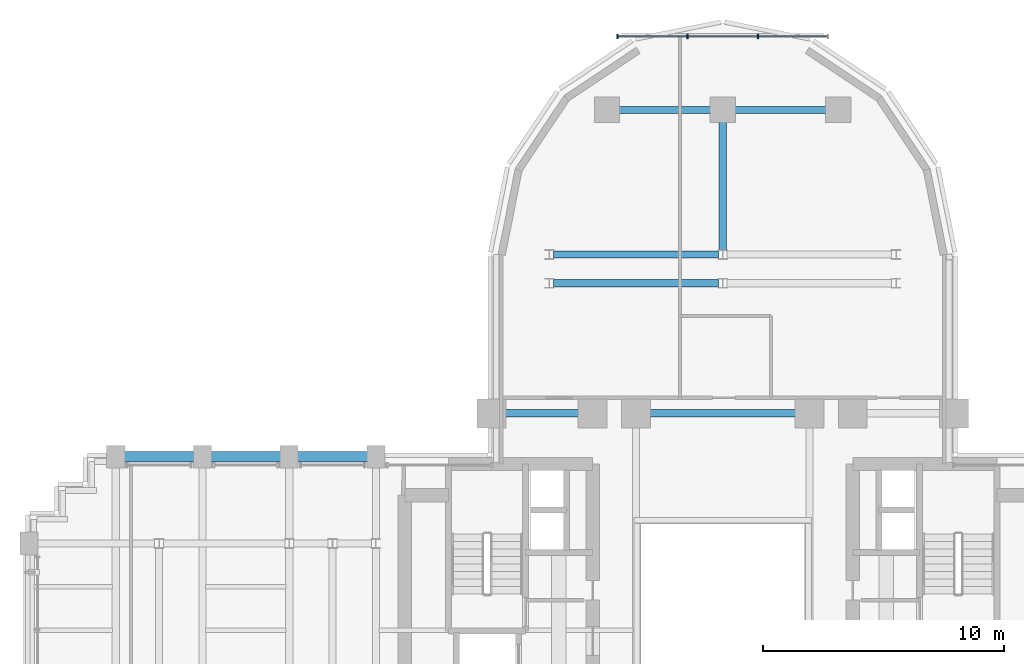
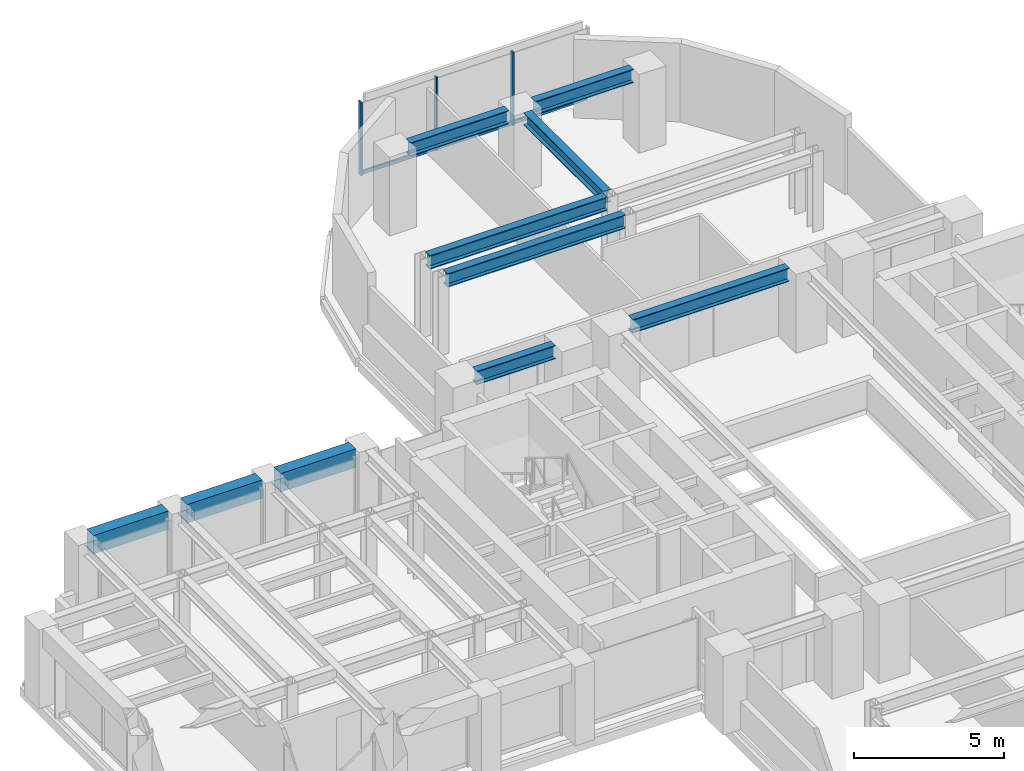
# One storey, part 7 of 16: 10 beams, 6 members, 1 element without a shape of its own.
"""IFC4 building model written with IfcOpenShell, lengths in metres."""

from ifc_helpers import new_model, si_unit, direction, frame, origin, origin_2d, place, context, subcontext, project, spatial, rectangle, i_section, extrude, source, transform, mapped, material, material_profile, profile_set, type_object, element, aggregate, save


model = new_model("IFC4")

# Units and contexts
model_context = context("Model", 3, precision=1e-05, world=origin(), true_north=direction((0.0, 1.0)))
body_context = subcontext(model_context, "Body", "Model", "MODEL_VIEW")
ifc_project = project(units=[si_unit("LENGTHUNIT", "METRE"), si_unit("AREAUNIT", "SQUARE_METRE"), si_unit("VOLUMEUNIT", "CUBIC_METRE"), si_unit("PLANEANGLEUNIT", "RADIAN"), si_unit("MASSUNIT", "GRAM", prefix="KILO")], contexts=[model_context])

# Site, building, storey
site_placement = place(None, origin())
site = spatial("IfcSite", under=ifc_project, at=site_placement, CompositionType="ELEMENT")
building_placement = place(site_placement, origin())
building = spatial("IfcBuilding", under=site, at=building_placement, Name="Keilestroom Media Tower", CompositionType="ELEMENT")
storey_placement = place(building_placement, frame((0.0, 0.0, 37.39990234375)))
storey = spatial("IfcBuildingStorey", under=building, at=storey_placement, Name="L08", CompositionType="ELEMENT", Elevation=37.39990234375)

# Beams
ifc_material_1 = material(Name="Steel S355", Category="steel")
ifc_material_profile_1 = material_profile(ifc_material_1, i_section(OverallWidth=0.300048828125, OverallDepth=0.550048828125, WebThickness=0.012939453125, FlangeThickness=0.029052734375, at=origin_2d()), Name="HEB 550")
ifc_profile_set_1 = profile_set([ifc_material_profile_1], Name="Steel S355")
beam_type_1 = type_object("IfcBeamType", Name="Primary-Structural-Girder-HEB-550", PredefinedType="BEAM", material=ifc_profile_set_1)
shared_shape_1 = source(origin(), body_context, "Body", "SweptSolid", [
    extrude(i_section(OverallWidth=0.300048828125, OverallDepth=0.550048828125, WebThickness=0.012939453125, FlangeThickness=0.029052734375, at=origin_2d()), origin(), (0.0, 0.0, 1.0), 3.7900390625),
])
for number, where, z_axis, x_axis, name in (
    (1, (-4.294921875, 21.60009765625, 2.925048828125), (1.0, 0.0, 0.0), (0.0, 1.0, 0.0), "L08 Beam BG-5 BM-L08-EW-049"),
    (2, (0.5048828125, 21.60009765625, 2.925048828125), (1.0, 0.0, 0.0), (0.0, 1.0, 0.0), "L08 Beam BG-5 BM-L08-EW-050"),
):
    element("IfcBeam", number, at=place(storey_placement, frame(where, z_axis=z_axis, x_axis=x_axis)), inside=storey, type_object=beam_type_1, Name=name, PredefinedType="BEAM", context=body_context, shape_type="MappedRepresentation", body=[
        mapped(shared_shape_1, transform((0.0, 0.0, 0.0), x_axis=(1.0, 0.0, 0.0), y_axis=(0.0, 1.0, 0.0), z_axis=(0.0, 0.0, 1.0), scale=1.0)),
    ])
shared_shape_2 = source(origin(), body_context, "Body", "SweptSolid", [
    extrude(i_section(OverallWidth=0.300048828125, OverallDepth=0.550048828125, WebThickness=0.012939453125, FlangeThickness=0.029052734375, at=origin_2d()), origin(), (0.0, 0.0, 1.0), 6.836181640625),
])
for number, where, z_axis, x_axis, name in (
    (3, (-7.01806640625, 14.39990234375, 2.925048828125), (1.0, 0.0, 0.0), (0.0, 1.0, 0.0), "L08 Beam BG-5 BM-L08-EW-045"),
    (4, (-7.01806640625, 15.60009765625, 2.925048828125), (1.0, 0.0, 0.0), (0.0, 1.0, 0.0), "L08 Beam BG-5 BM-L08-EW-047"),
):
    element("IfcBeam", number, at=place(storey_placement, frame(where, z_axis=z_axis, x_axis=x_axis)), inside=storey, type_object=beam_type_1, Name=name, PredefinedType="BEAM", context=body_context, shape_type="MappedRepresentation", body=[
        mapped(shared_shape_2, transform((0.0, 0.0, 0.0), x_axis=(1.0, 0.0, 0.0), y_axis=(0.0, 1.0, 0.0), z_axis=(0.0, 0.0, 1.0), scale=1.0)),
    ])
shared_shape_3 = source(origin(), body_context, "Body", "SweptSolid", [
    extrude(i_section(OverallWidth=0.300048828125, OverallDepth=0.550048828125, WebThickness=0.012939453125, FlangeThickness=0.029052734375, at=origin_2d()), origin(), (0.0, 0.0, 1.0), 3.0400390625),
])
beam_1_placement = place(storey_placement, frame((-9.02001953125, 9.0, 2.925048828125), z_axis=(1.0, 0.0, 0.0), x_axis=(0.0, 1.0, 0.0)))
element("IfcBeam", 5, at=beam_1_placement, inside=storey, type_object=beam_type_1, Name="L08 Beam BG-5 BM-L08-EW-040", PredefinedType="BEAM", context=body_context, shape_type="MappedRepresentation", body=[
    mapped(shared_shape_3, transform((0.0, 0.0, 0.0), x_axis=(1.0, 0.0, 0.0), y_axis=(0.0, 1.0, 0.0), z_axis=(0.0, 0.0, 1.0), scale=1.0)),
])
shared_shape_4 = source(origin(), body_context, "Body", "SweptSolid", [
    extrude(i_section(OverallWidth=0.300048828125, OverallDepth=0.550048828125, WebThickness=0.012939453125, FlangeThickness=0.029052734375, at=origin_2d()), origin(), (0.0, 0.0, 1.0), 6.0400390625),
])
beam_2_placement = place(storey_placement, frame((-3.02001953125, 9.0, 2.925048828125), z_axis=(1.0, 0.0, 0.0), x_axis=(0.0, 1.0, 0.0)))
element("IfcBeam", 6, at=beam_2_placement, inside=storey, type_object=beam_type_1, Name="L08 Beam BG-5 BM-L08-EW-042", PredefinedType="BEAM", context=body_context, shape_type="MappedRepresentation", body=[
    mapped(shared_shape_4, transform((0.0, 0.0, 0.0), x_axis=(1.0, 0.0, 0.0), y_axis=(0.0, 1.0, 0.0), z_axis=(0.0, 0.0, 1.0), scale=1.0)),
])
ifc_material_2 = material(Name="Precast concrete C40/50", Category="concrete")
ifc_material_profile_2 = material_profile(ifc_material_2, rectangle(XDim=0.449951171875, YDim=0.75, at=origin_2d()), Name="PC 450x750")
ifc_profile_set_2 = profile_set([ifc_material_profile_2], Name="Precast concrete C40/50")
beam_type_2 = type_object("IfcBeamType", Name="Perimeter-Spandrel-Beam-PC-450x750", PredefinedType="SPANDREL", material=ifc_profile_set_2)
shared_shape_5 = source(origin(), body_context, "Body", "SweptSolid", [
    extrude(rectangle(XDim=0.449951171875, YDim=0.75, at=origin_2d()), origin(), (0.0, 0.0, 1.0), 2.889892578125),
])
beam_3_placement = place(storey_placement, frame((-24.844970703125, 7.199951171875, 2.8251953125), z_axis=(1.0, 0.0, 0.0), x_axis=(0.0, 1.0, 0.0)))
element("IfcBeam", 7, at=beam_3_placement, inside=storey, type_object=beam_type_2, Name="L08 Beam SPB-1 BM-L08-EW-034", PredefinedType="SPANDREL", context=body_context, shape_type="MappedRepresentation", body=[
    mapped(shared_shape_5, transform((0.0, 0.0, 0.0), x_axis=(1.0, 0.0, 0.0), y_axis=(0.0, 1.0, 0.0), z_axis=(0.0, 0.0, 1.0), scale=1.0)),
])
shared_shape_6 = source(origin(), body_context, "Body", "SweptSolid", [
    extrude(rectangle(XDim=0.449951171875, YDim=0.75, at=origin_2d()), origin(), (0.0, 0.0, 1.0), 2.89013671875),
])
for number, where, z_axis, x_axis, name in (
    (8, (-21.2451171875, 7.199951171875, 2.8251953125), (1.0, 0.0, 0.0), (0.0, 1.0, 0.0), "L08 Beam SPB-1 BM-L08-EW-035"),
    (9, (-17.64501953125, 7.199951171875, 2.8251953125), (1.0, 0.0, 0.0), (0.0, 1.0, 0.0), "L08 Beam SPB-1 BM-L08-EW-036"),
):
    element("IfcBeam", number, at=place(storey_placement, frame(where, z_axis=z_axis, x_axis=x_axis)), inside=storey, type_object=beam_type_2, Name=name, PredefinedType="SPANDREL", context=body_context, shape_type="MappedRepresentation", body=[
        mapped(shared_shape_6, transform((0.0, 0.0, 0.0), x_axis=(1.0, 0.0, 0.0), y_axis=(0.0, 1.0, 0.0), z_axis=(0.0, 0.0, 1.0), scale=1.0)),
    ])
ifc_material_profile_3 = material_profile(ifc_material_1, i_section(OverallWidth=0.300048828125, OverallDepth=0.5, WebThickness=0.012451171875, FlangeThickness=0.028076171875, at=origin_2d()), Name="HEB 500")
ifc_profile_set_3 = profile_set([ifc_material_profile_3], Name="Steel S355")
beam_type_3 = type_object("IfcBeamType", Name="Primary-Structural-Girder-HEB-500", PredefinedType="BEAM", material=ifc_profile_set_3)
shared_shape_7 = source(origin(), body_context, "Body", "SweptSolid", [
    extrude(i_section(OverallWidth=0.300048828125, OverallDepth=0.5, WebThickness=0.012451171875, FlangeThickness=0.028076171875, at=origin_2d()), origin(), (0.0, 0.0, 1.0), 5.3115234375),
])
beam_4_placement = place(storey_placement, frame((0.0, 15.783447265625, 2.9501953125), z_axis=(0.0, 1.0, 0.0), x_axis=(-1.0, 0.0, 0.0)))
element("IfcBeam", 10, at=beam_4_placement, inside=storey, type_object=beam_type_3, Name="L08 Beam BG-6 BM-L08-NS-070", PredefinedType="BEAM", context=body_context, shape_type="MappedRepresentation", body=[
    mapped(shared_shape_7, transform((0.0, 0.0, 0.0), x_axis=(1.0, 0.0, 0.0), y_axis=(0.0, 1.0, 0.0), z_axis=(0.0, 0.0, 1.0), scale=1.0)),
])

# Curtain wall, members
ifc_material_3 = material(Name="Anodised Aluminium Alloy", Category="aluminium")
curtain_wall_type = type_object("IfcCurtainWallType", Name="Unitised-Curtain-Wall-CW-6", PredefinedType="NOTDEFINED", material=ifc_material_3)
curtain_wall_placement = place(storey_placement, origin())
curtain_wall = element("IfcCurtainWall", 11, at=curtain_wall_placement, inside=storey, type_object=curtain_wall_type, Name="L08 Curtain Wall CW-6 CW-L08-LN-1", PredefinedType="NOTDEFINED")
ifc_material_profile_4 = material_profile(ifc_material_3, rectangle(XDim=0.06494140625, YDim=0.179931640625, at=origin_2d()), Name="ALU MULLION 65x180")
ifc_profile_set_4 = profile_set([ifc_material_profile_4], Name="Anodised Aluminium Alloy")
member_type_1 = type_object("IfcMemberType", Name="Curtain-Wall-Mullion-CW-6", PredefinedType="MULLION", material=ifc_profile_set_4)
shared_shape_8 = source(origin(), body_context, "Body", "SweptSolid", [
    extrude(rectangle(XDim=0.06494140625, YDim=0.179931640625, at=origin_2d()), origin(), (0.0, 0.0, 1.0), 2.97998046875),
])
member_1_placement = place(storey_placement, frame((-4.367431640625, 24.64990234375, 0.0), z_axis=(0.0, 0.0, 1.0), x_axis=(1.0, 0.0, 0.0)))
member_1 = element("IfcMember", 12, at=member_1_placement, type_object=member_type_1, Name="CW-6 Mullion 00", PredefinedType="MULLION", context=body_context, shape_type="MappedRepresentation", body=[
    mapped(shared_shape_8, transform((0.0, 0.0, 0.0), x_axis=(1.0, 0.0, 0.0), y_axis=(0.0, 1.0, 0.0), z_axis=(0.0, 0.0, 1.0), scale=1.0)),
])
member_2_placement = place(storey_placement, frame((-1.466796875, 24.64990234375, 0.0), z_axis=(0.0, 0.0, 1.0), x_axis=(1.0, 0.0, 0.0)))
member_2 = element("IfcMember", 13, at=member_2_placement, type_object=member_type_1, Name="CW-6 Mullion 01", PredefinedType="MULLION", context=body_context, shape_type="MappedRepresentation", body=[
    mapped(shared_shape_8, transform((0.0, 0.0, 0.0), x_axis=(1.0, 0.0, 0.0), y_axis=(0.0, 1.0, 0.0), z_axis=(0.0, 0.0, 1.0), scale=1.0)),
])
member_3_placement = place(storey_placement, frame((1.466796875, 24.64990234375, 0.0), z_axis=(0.0, 0.0, 1.0), x_axis=(1.0, 0.0, 0.0)))
member_3 = element("IfcMember", 14, at=member_3_placement, type_object=member_type_1, Name="CW-6 Mullion 02", PredefinedType="MULLION", context=body_context, shape_type="MappedRepresentation", body=[
    mapped(shared_shape_8, transform((0.0, 0.0, 0.0), x_axis=(1.0, 0.0, 0.0), y_axis=(0.0, 1.0, 0.0), z_axis=(0.0, 0.0, 1.0), scale=1.0)),
])
ifc_material_profile_5 = material_profile(ifc_material_3, rectangle(XDim=0.06494140625, YDim=0.14990234375, at=origin_2d()), Name="ALU TRANSOM 65x150")
ifc_profile_set_5 = profile_set([ifc_material_profile_5], Name="Anodised Aluminium Alloy")
member_type_2 = type_object("IfcMemberType", Name="Curtain-Wall-Transom-CW-6", PredefinedType="USERDEFINED", material=ifc_profile_set_5)
shared_shape_9 = source(origin(), body_context, "Body", "SweptSolid", [
    extrude(rectangle(XDim=0.06494140625, YDim=0.14990234375, at=origin_2d()), origin(), (0.0, 0.0, 1.0), 2.839599609375),
])
member_4_placement = place(storey_placement, frame((-4.3369140625, 24.64990234375, 0.0751953125), z_axis=(1.0, 0.0, 0.0), x_axis=(0.0, 1.0, 0.0)))
member_4 = element("IfcMember", 15, at=member_4_placement, type_object=member_type_2, Name="CW-6 Transom 00.1", ObjectType="TRANSOM", PredefinedType="USERDEFINED", context=body_context, shape_type="MappedRepresentation", body=[
    mapped(shared_shape_9, transform((0.0, 0.0, 0.0), x_axis=(1.0, 0.0, 0.0), y_axis=(0.0, 1.0, 0.0), z_axis=(0.0, 0.0, 1.0), scale=1.0)),
])
member_5_placement = place(storey_placement, frame((1.497314453125, 24.64990234375, 0.0751953125), z_axis=(1.0, 0.0, 0.0), x_axis=(0.0, 1.0, 0.0)))
member_5 = element("IfcMember", 16, at=member_5_placement, type_object=member_type_2, Name="CW-6 Transom 02.1", ObjectType="TRANSOM", PredefinedType="USERDEFINED", context=body_context, shape_type="MappedRepresentation", body=[
    mapped(shared_shape_9, transform((0.0, 0.0, 0.0), x_axis=(1.0, 0.0, 0.0), y_axis=(0.0, 1.0, 0.0), z_axis=(0.0, 0.0, 1.0), scale=1.0)),
])
shared_shape_10 = source(origin(), body_context, "Body", "SweptSolid", [
    extrude(rectangle(XDim=0.06494140625, YDim=0.14990234375, at=origin_2d()), origin(), (0.0, 0.0, 1.0), 2.87255859375),
])
member_6_placement = place(storey_placement, frame((-1.436279296875, 24.64990234375, 0.0751953125), z_axis=(1.0, 0.0, 0.0), x_axis=(0.0, 1.0, 0.0)))
member_6 = element("IfcMember", 17, at=member_6_placement, type_object=member_type_2, Name="CW-6 Transom 01.1", ObjectType="TRANSOM", PredefinedType="USERDEFINED", context=body_context, shape_type="MappedRepresentation", body=[
    mapped(shared_shape_10, transform((0.0, 0.0, 0.0), x_axis=(1.0, 0.0, 0.0), y_axis=(0.0, 1.0, 0.0), z_axis=(0.0, 0.0, 1.0), scale=1.0)),
])
aggregate(curtain_wall, [member_1, member_2, member_3, member_4, member_6, member_5])

save(model, "model.ifc")
